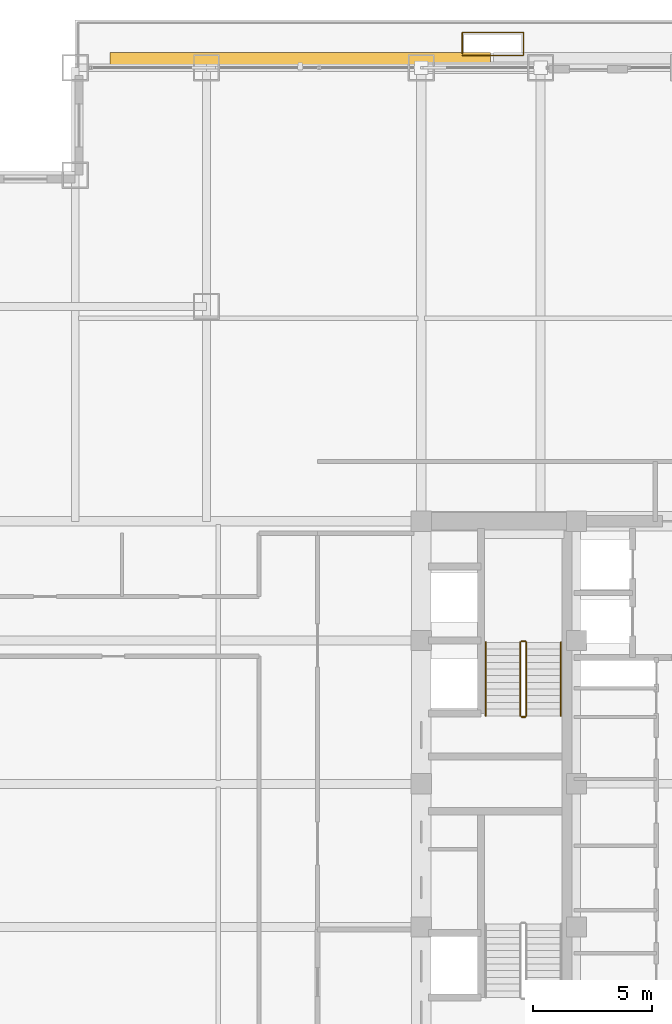
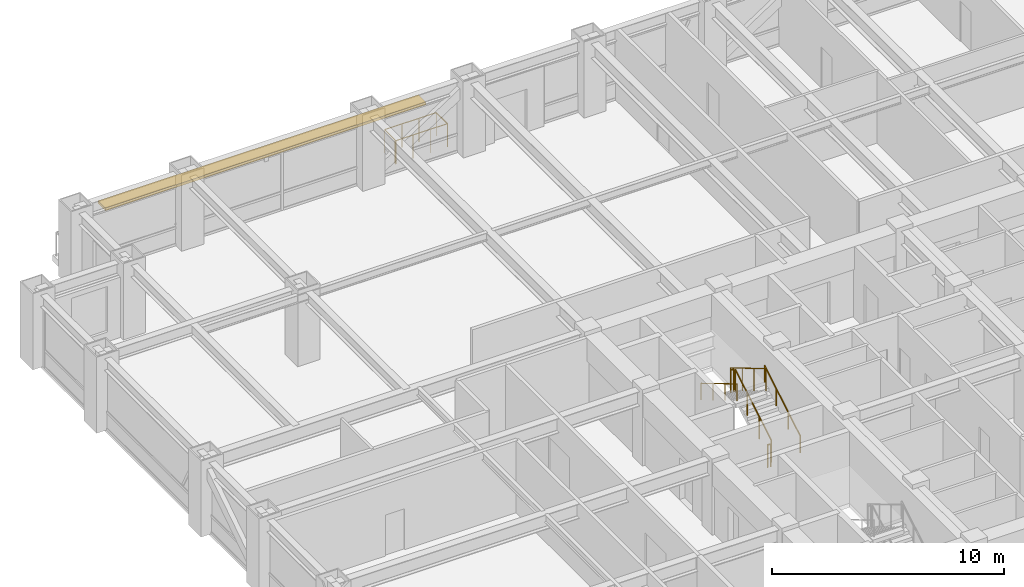
# One storey, part 34 of 35: 7 railings, 1 shading device.
"""IFC4 building model written with IfcOpenShell, lengths in metres."""

from ifc_helpers import new_model, si_unit, direction, frame, origin, origin_2d, place, context, subcontext, project, spatial, rectangle, circle, extrude, source, transform, mapped, material, layer, layer_set, type_object, element, save


model = new_model("IFC4")

# Units and contexts
model_context = context("Model", 3, precision=1e-05, world=origin(), true_north=direction((0.0, 1.0)))
body_context = subcontext(model_context, "Body", "Model", "MODEL_VIEW")
ifc_project = project(units=[si_unit("LENGTHUNIT", "METRE"), si_unit("AREAUNIT", "SQUARE_METRE"), si_unit("VOLUMEUNIT", "CUBIC_METRE"), si_unit("PLANEANGLEUNIT", "RADIAN"), si_unit("MASSUNIT", "GRAM", prefix="KILO")], contexts=[model_context])

# Site, building, storey
site_placement = place(None, origin())
site = spatial("IfcSite", under=ifc_project, at=site_placement, CompositionType="ELEMENT")
building_placement = place(site_placement, origin())
building = spatial("IfcBuilding", under=site, at=building_placement, Name="Khorayat Bourse Tower", CompositionType="ELEMENT")
storey_placement = place(building_placement, frame((0.0, 0.0, 155.10009765625)))
storey = spatial("IfcBuildingStorey", under=building, at=storey_placement, Name="L35", CompositionType="ELEMENT", Elevation=155.10009765625)

# Railing
ifc_material_1 = material(Name="Laminated glass and bronze balustrade", Category="glass")
railing_type_1 = type_object("IfcRailingType", Name="RLG-TERR-1250", PredefinedType="GUARDRAIL", material=ifc_material_1)
shared_shape_1 = source(origin(), body_context, "Body", "SweptSolid", [
    extrude(circle(Radius=0.02392578125, at=origin_2d()), frame((0.0, 0.0, 1.22607421875), z_axis=(1.0, 0.0, 0.0), x_axis=(0.0, 1.0, 0.0)), (0.0, 0.0, 1.0), 2.56005859375),
    extrude(circle(Radius=0.02392578125, at=origin_2d()), frame((2.56005859375, 0.0, 1.22607421875), z_axis=(0.0, 1.0, 0.0), x_axis=(-1.0, 0.0, 0.0)), (0.0, 0.0, 1.0), 0.9599609375),
    extrude(circle(Radius=0.02392578125, at=origin_2d()), frame((2.56005859375, 0.9599609375, 1.22607421875), z_axis=(-1.0, 0.0, 0.0), x_axis=(0.0, -1.0, 0.0)), (0.0, 0.0, 1.0), 2.56005859375),
    extrude(circle(Radius=0.02392578125, at=origin_2d()), frame((0.0, 0.9599609375, 1.22607421875), z_axis=(0.0, -1.0, 0.0), x_axis=(1.0, 0.0, 0.0)), (0.0, 0.0, 1.0), 0.8798828125),
    extrude(circle(Radius=0.02099609375, at=origin_2d()), origin(), (0.0, 0.0, 1.0), 1.201904296875),
    extrude(circle(Radius=0.02099609375, at=origin_2d()), frame((0.853271484375, 0.0, 0.0)), (0.0, 0.0, 1.0), 1.201904296875),
    extrude(circle(Radius=0.02099609375, at=origin_2d()), frame((1.706787109375, 0.0, 0.0)), (0.0, 0.0, 1.0), 1.201904296875),
    extrude(circle(Radius=0.02099609375, at=origin_2d()), frame((2.56005859375, 0.0, 0.0)), (0.0, 0.0, 1.0), 1.201904296875),
    extrude(circle(Radius=0.02099609375, at=origin_2d()), frame((2.56005859375, 0.9599609375, 0.0)), (0.0, 0.0, 1.0), 1.201904296875),
    extrude(circle(Radius=0.02099609375, at=origin_2d()), frame((1.706787109375, 0.9599609375, 0.0)), (0.0, 0.0, 1.0), 1.201904296875),
    extrude(circle(Radius=0.02099609375, at=origin_2d()), frame((0.853271484375, 0.9599609375, 0.0)), (0.0, 0.0, 1.0), 1.201904296875),
    extrude(circle(Radius=0.02099609375, at=origin_2d()), frame((0.0, 0.9599609375, 0.0)), (0.0, 0.0, 1.0), 1.201904296875),
    extrude(circle(Radius=0.02099609375, at=origin_2d()), frame((0.0, 0.080078125, 0.0)), (0.0, 0.0, 1.0), 1.201904296875),
])
railing_1_placement = place(storey_placement, frame((-9.280029296875, 30.52001953125, 0.0)))
element("IfcRailing", 1, at=railing_1_placement, inside=storey, type_object=railing_type_1, Name="L35 Terrace Tree-Pit Guardrail 01", PredefinedType="GUARDRAIL", context=body_context, shape_type="MappedRepresentation", body=[
    mapped(shared_shape_1, transform((0.0, 0.0, 0.0), scale=1.0)),
])

# Shading device
ifc_material_2 = material(Name="Precast concrete C45/55", Category="concrete")
ifc_layer = layer(ifc_material_2, 0.139892578125)
ifc_layer_set = layer_set([ifc_layer], Name="Precast concrete C45/55")
shading_device_type = type_object("IfcShadingDeviceType", Name="SHD-WAVE-TRAY-B", PredefinedType="USERDEFINED", material=ifc_layer_set)
shared_shape_2 = source(origin(), body_context, "Body", "SweptSolid", [
    extrude(rectangle(XDim=15.9267578125, YDim=0.65087890625, at=origin_2d()), origin(), (0.0, 0.0, 1.0), 0.139892578125),
])
shading_device_placement = place(storey_placement, frame((-16.066650390625, 30.305419921875, 3.02978515625), z_axis=(0.0, 0.0, 1.0), x_axis=(1.0, 0.0, 0.0)))
element("IfcShadingDevice", 2, at=shading_device_placement, inside=storey, type_object=shading_device_type, Name="L35 Sinusoidal Wave Sunshade Tray N-1", ObjectType="SUNSHADE", PredefinedType="USERDEFINED", context=body_context, shape_type="MappedRepresentation", body=[
    mapped(shared_shape_2, transform((0.0, 0.0, 0.0), scale=1.0)),
])

# Railings
ifc_material_3 = material(Name="Powder-coated steel balustrade", Category="steel")
railing_type_2 = type_object("IfcRailingType", Name="RLG-GUARD-1200", PredefinedType="GUARDRAIL", material=ifc_material_3)
shared_shape_3 = source(origin(), body_context, "Body", "SweptSolid", [
    extrude(circle(Radius=0.02392578125, at=origin_2d()), frame((0.0, 0.0, 1.17578125), z_axis=(-1.0, 0.0, 0.0), x_axis=(0.0, -1.0, 0.0)), (0.0, 0.0, 1.0), 0.150146484375),
    extrude(circle(Radius=0.02099609375, at=origin_2d()), origin(), (0.0, 0.0, 1.0), 1.15185546875),
    extrude(circle(Radius=0.02099609375, at=origin_2d()), frame((-0.150146484375, 0.0, 0.0)), (0.0, 0.0, 1.0), 1.15185546875),
])
for number, where, name in (
    (3, (-6.64990234375, 5.97998046875, 2.0), "L35 ST-2 stair guard 2"),
    (4, (-6.64990234375, 2.800048828125, 0.0), "L35 ST-2 stair guard 4"),
):
    element("IfcRailing", number, at=place(storey_placement, frame(where)), inside=storey, type_object=railing_type_2, Name=name, PredefinedType="GUARDRAIL", context=body_context, shape_type="MappedRepresentation", body=[
        mapped(shared_shape_3, transform((0.0, 0.0, 0.0), scale=1.0)),
    ])
shared_shape_4 = source(origin(), body_context, "Body", "SweptSolid", [
    extrude(circle(Radius=0.02392578125, at=origin_2d()), frame((0.0, 0.0, 1.17578125), z_axis=(0.0, 0.859260807169, 0.511537745687), x_axis=(-1.0, 0.0, 0.0)), (0.0, 0.0, 1.0), 3.584228515625),
    extrude(circle(Radius=0.02099609375, at=origin_2d()), origin(), (0.0, 0.0, 1.0), 1.15185546875),
    extrude(circle(Radius=0.02099609375, at=origin_2d()), frame((0.0, 1.026611328125, 0.611083984375)), (0.0, 0.0, 1.0), 1.15185546875),
    extrude(circle(Radius=0.02099609375, at=origin_2d()), frame((0.0, 2.05322265625, 1.222412109375)), (0.0, 0.0, 1.0), 1.15185546875),
    extrude(circle(Radius=0.02099609375, at=origin_2d()), frame((0.0, 3.079833984375, 1.83349609375)), (0.0, 0.0, 1.0), 1.15185546875),
])
railing_2_placement = place(storey_placement, frame((-6.60009765625, 2.85009765625, 0.16650390625)))
element("IfcRailing", 5, at=railing_2_placement, inside=storey, type_object=railing_type_2, Name="L35 ST-2 stair guard 1", PredefinedType="GUARDRAIL", context=body_context, shape_type="MappedRepresentation", body=[
    mapped(shared_shape_4, transform((0.0, 0.0, 0.0), scale=1.0)),
])
shared_shape_5 = source(origin(), body_context, "Body", "SweptSolid", [
    extrude(circle(Radius=0.02392578125, at=origin_2d()), frame((0.0, 0.0, 1.17578125), z_axis=(0.0, -0.859260807169, 0.511537745687), x_axis=(1.0, 0.0, 0.0)), (0.0, 0.0, 1.0), 3.584228515625),
    extrude(circle(Radius=0.02099609375, at=origin_2d()), origin(), (0.0, 0.0, 1.0), 1.15185546875),
    extrude(circle(Radius=0.02099609375, at=origin_2d()), frame((0.0, -1.026611328125, 0.611083984375)), (0.0, 0.0, 1.0), 1.15185546875),
    extrude(circle(Radius=0.02099609375, at=origin_2d()), frame((0.0, -2.05322265625, 1.222412109375)), (0.0, 0.0, 1.0), 1.15185546875),
    extrude(circle(Radius=0.02099609375, at=origin_2d()), frame((0.0, -3.079833984375, 1.83349609375)), (0.0, 0.0, 1.0), 1.15185546875),
])
railing_3_placement = place(storey_placement, frame((-6.85009765625, 5.929931640625, 2.16650390625)))
element("IfcRailing", 6, at=railing_3_placement, inside=storey, type_object=railing_type_2, Name="L35 ST-2 stair guard 3", PredefinedType="GUARDRAIL", context=body_context, shape_type="MappedRepresentation", body=[
    mapped(shared_shape_5, transform((0.0, 0.0, 0.0), scale=1.0)),
])
ifc_material_4 = material(Name="Brushed bronze stainless-steel handrail", Category="steel")
railing_type_3 = type_object("IfcRailingType", Name="RLG-HAND-900", PredefinedType="HANDRAIL", material=ifc_material_4)
shared_shape_6 = source(origin(), body_context, "Body", "SweptSolid", [
    extrude(circle(Radius=0.02392578125, at=origin_2d()), frame((0.0, 0.0, 0.8759765625), z_axis=(0.0, 0.859260807169, 0.511537745687), x_axis=(-1.0, 0.0, 0.0)), (0.0, 0.0, 1.0), 3.584228515625),
    extrude(circle(Radius=0.02099609375, at=origin_2d()), origin(), (0.0, 0.0, 1.0), 0.851806640625),
    extrude(circle(Radius=0.02099609375, at=origin_2d()), frame((0.0, 1.026611328125, 0.611083984375)), (0.0, 0.0, 1.0), 0.851806640625),
    extrude(circle(Radius=0.02099609375, at=origin_2d()), frame((0.0, 2.05322265625, 1.222412109375)), (0.0, 0.0, 1.0), 0.851806640625),
    extrude(circle(Radius=0.02099609375, at=origin_2d()), frame((0.0, 3.079833984375, 1.83349609375)), (0.0, 0.0, 1.0), 0.851806640625),
])
railing_4_placement = place(storey_placement, frame((-5.14990234375, 2.85009765625, 0.16650390625)))
element("IfcRailing", 7, at=railing_4_placement, inside=storey, type_object=railing_type_3, Name="L35 ST-2 stair handrail 1", PredefinedType="HANDRAIL", context=body_context, shape_type="MappedRepresentation", body=[
    mapped(shared_shape_6, transform((0.0, 0.0, 0.0), scale=1.0)),
])
shared_shape_7 = source(origin(), body_context, "Body", "SweptSolid", [
    extrude(circle(Radius=0.02392578125, at=origin_2d()), frame((0.0, 0.0, 0.8759765625), z_axis=(0.0, -0.859260807169, 0.511537745687), x_axis=(1.0, 0.0, 0.0)), (0.0, 0.0, 1.0), 3.584228515625),
    extrude(circle(Radius=0.02099609375, at=origin_2d()), origin(), (0.0, 0.0, 1.0), 0.851806640625),
    extrude(circle(Radius=0.02099609375, at=origin_2d()), frame((0.0, -1.026611328125, 0.611083984375)), (0.0, 0.0, 1.0), 0.851806640625),
    extrude(circle(Radius=0.02099609375, at=origin_2d()), frame((0.0, -2.05322265625, 1.222412109375)), (0.0, 0.0, 1.0), 0.851806640625),
    extrude(circle(Radius=0.02099609375, at=origin_2d()), frame((0.0, -3.079833984375, 1.83349609375)), (0.0, 0.0, 1.0), 0.851806640625),
])
railing_5_placement = place(storey_placement, frame((-8.300048828125, 5.929931640625, 2.16650390625)))
element("IfcRailing", 8, at=railing_5_placement, inside=storey, type_object=railing_type_3, Name="L35 ST-2 stair handrail 2", PredefinedType="HANDRAIL", context=body_context, shape_type="MappedRepresentation", body=[
    mapped(shared_shape_7, transform((0.0, 0.0, 0.0), scale=1.0)),
])

save(model, "model.ifc")
